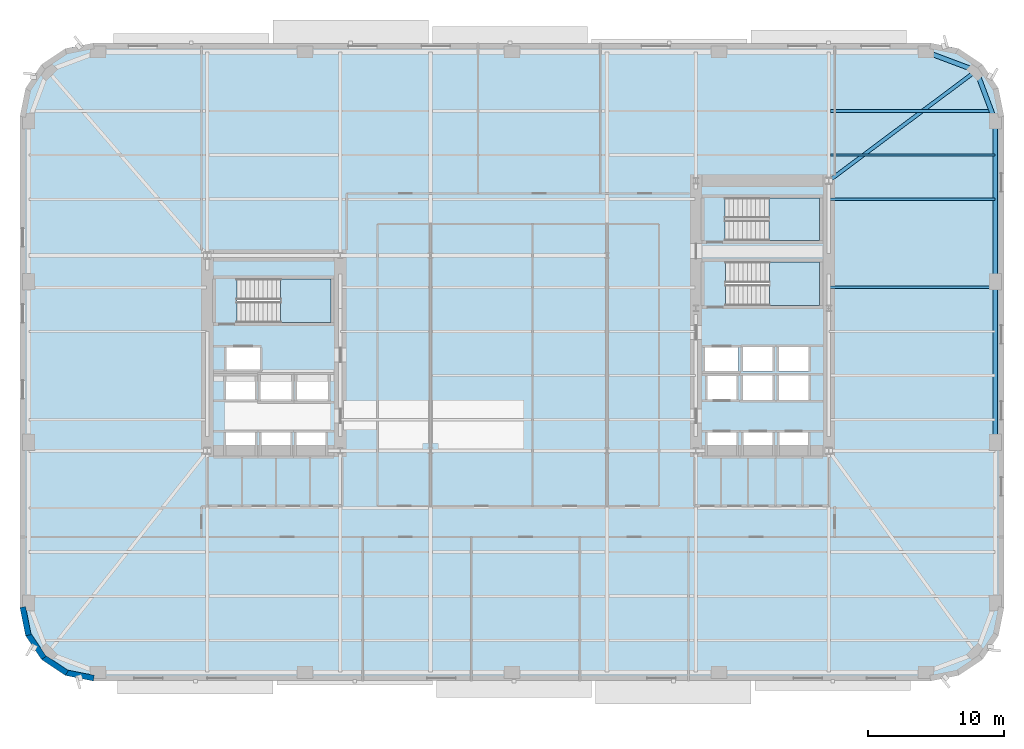
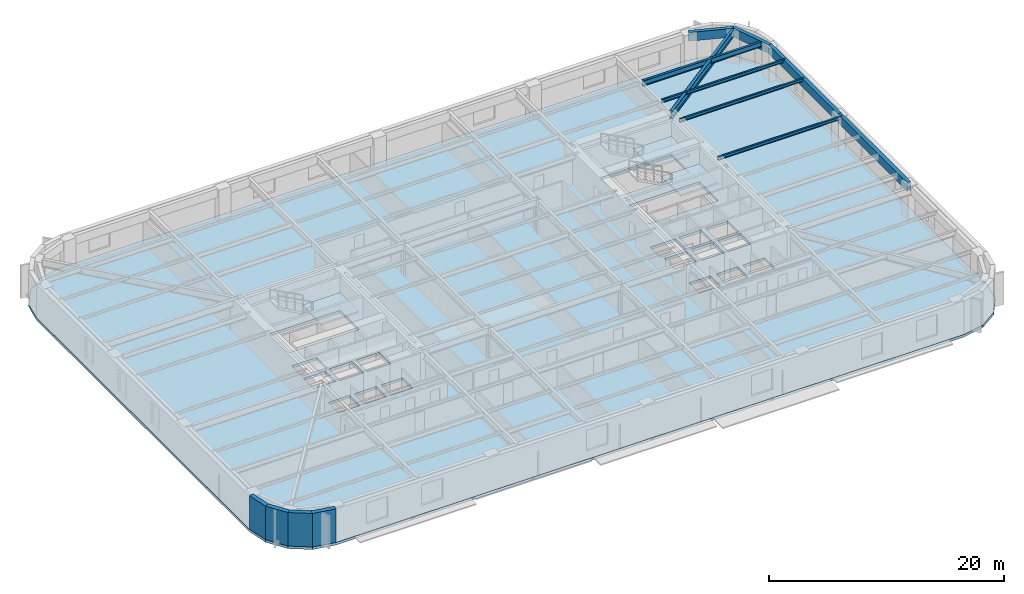
# One storey, part 3 of 15: 9 beams, 4 slabs, 4 walls, 3 elements without a shape of their own.
"""IFC4 building model written with IfcOpenShell, lengths in metres."""

from ifc_helpers import new_model, si_unit, direction, frame, frame_2d, origin, origin_2d, place, context, subcontext, project, spatial, polyline, rectangle, hollow_rectangle, i_section, outline, extrude, material, layer, layer_set, material_profile, profile_set, type_object, element, aggregate, save


model = new_model("IFC4")

# Units and contexts
model_context = context("Model", 3, precision=1e-05, world=origin(), true_north=direction((0.0, 1.0)))
body_context = subcontext(model_context, "Body", "Model", "MODEL_VIEW")
ifc_project = project(units=[si_unit("LENGTHUNIT", "METRE"), si_unit("AREAUNIT", "SQUARE_METRE"), si_unit("VOLUMEUNIT", "CUBIC_METRE"), si_unit("PLANEANGLEUNIT", "RADIAN"), si_unit("MASSUNIT", "GRAM", prefix="KILO")], contexts=[model_context])

# Site, building, storey
site_placement = place(None, origin())
site = spatial("IfcSite", under=ifc_project, at=site_placement, CompositionType="ELEMENT")
building_placement = place(site_placement, origin())
building = spatial("IfcBuilding", under=site, at=building_placement, Name="Kolvaren Arena Tower", CompositionType="ELEMENT")
storey_placement = place(building_placement, frame((0.0, 0.0, 49.5)))
storey = spatial("IfcBuildingStorey", under=building, at=storey_placement, Name="L09", CompositionType="ELEMENT", Elevation=49.5)

# Beams
ifc_material_1 = material(Name="Steel CSA G40.21 350W", Category="steel")
ifc_material_profile_1 = material_profile(ifc_material_1, i_section(OverallWidth=0.2119140625, OverallDepth=0.54296875, WebThickness=0.01318359375, FlangeThickness=0.0244140625, FilletRadius=0.013916015625, at=origin_2d()), Name="W530x150")
ifc_profile_set_1 = profile_set([ifc_material_profile_1], Name="Steel CSA G40.21 350W")
beam_type_1 = type_object("IfcBeamType", Name="BEAM-F1", PredefinedType="BEAM", material=ifc_profile_set_1)
beam_1_placement = place(storey_placement, frame((60.485107421875, 44.5, 3.20849609375), z_axis=(1.0, 0.0, 0.0), x_axis=(0.0, 1.0, 0.0)))
element("IfcBeam", 1, at=beam_1_placement, inside=storey, type_object=beam_type_1, Name="Composite Floor Beam (L09)", PredefinedType="BEAM", context=body_context, shape_type="SweptSolid", body=[
    extrude(i_section(OverallWidth=0.2119140625, OverallDepth=0.54296875, WebThickness=0.01318359375, FlangeThickness=0.0244140625, FilletRadius=0.013916015625, at=origin_2d()), origin(), (0.0, 0.0, 1.0), 11.83349609375),
])
ifc_material_profile_2 = material_profile(ifc_material_1, i_section(OverallWidth=0.27001953125, OverallDepth=0.77294921875, WebThickness=0.019287109375, FlangeThickness=0.033447265625, FilletRadius=0.01806640625, at=origin_2d()), Name="W760x257")
ifc_profile_set_2 = profile_set([ifc_material_profile_2], Name="Steel CSA G40.21 350W")
beam_type_2 = type_object("IfcBeamType", Name="GIRD-T1", PredefinedType="BEAM", material=ifc_profile_set_2)
beam_2_placement = place(storey_placement, frame((71.208740234375, 47.458740234375, 3.093505859375), z_axis=(-0.801249936397, -0.598329791523, 0.0), x_axis=(0.598329791523, -0.801249936397, 0.0)))
element("IfcBeam", 2, at=beam_2_placement, inside=storey, type_object=beam_type_2, Name="Corner Diagonal Tie Girder (L09)", PredefinedType="BEAM", context=body_context, shape_type="SweptSolid", body=[
    extrude(i_section(OverallWidth=0.27001953125, OverallDepth=0.77294921875, WebThickness=0.019287109375, FlangeThickness=0.033447265625, FilletRadius=0.01806640625, at=origin_2d()), origin(), (0.0, 0.0, 1.0), 13.55224609375),
])
ifc_material_profile_3 = material_profile(ifc_material_1, i_section(OverallWidth=0.1669921875, OverallDepth=0.31689453125, WebThickness=0.007568359375, FlangeThickness=0.01318359375, FilletRadius=0.010009765625, at=origin_2d()), Name="W310x52")
ifc_profile_set_3 = profile_set([ifc_material_profile_3], Name="Steel CSA G40.21 350W")
beam_type_3 = type_object("IfcBeamType", Name="JOIST-02", PredefinedType="JOIST", material=ifc_profile_set_3)
for number, where, z_axis, x_axis, name in (
    (3, (60.3701171875, 31.5, 3.321533203125), (1.0, 0.0, 0.0), (0.0, 1.0, 0.0), "Composite Floor Joist (L09)"),
    (4, (60.3701171875, 38.0, 3.321533203125), (1.0, 0.0, 0.0), (0.0, 1.0, 0.0), "Composite Floor Joist (L09)"),
):
    element("IfcBeam", number, at=place(storey_placement, frame(where, z_axis=z_axis, x_axis=x_axis)), inside=storey, type_object=beam_type_3, Name=name, PredefinedType="JOIST", context=body_context, shape_type="SweptSolid", body=[
        extrude(i_section(OverallWidth=0.1669921875, OverallDepth=0.31689453125, WebThickness=0.007568359375, FlangeThickness=0.01318359375, FilletRadius=0.010009765625, at=origin_2d()), origin(), (0.0, 0.0, 1.0), 12.22998046875),
    ])
beam_3_placement = place(storey_placement, frame((60.485107421875, 41.25, 3.321533203125), z_axis=(1.0, 0.0, 0.0), x_axis=(0.0, 1.0, 0.0)))
element("IfcBeam", 5, at=beam_3_placement, inside=storey, type_object=beam_type_3, Name="Composite Floor Joist (L09)", PredefinedType="JOIST", context=body_context, shape_type="SweptSolid", body=[
    extrude(i_section(OverallWidth=0.1669921875, OverallDepth=0.31689453125, WebThickness=0.007568359375, FlangeThickness=0.01318359375, FilletRadius=0.010009765625, at=origin_2d()), origin(), (0.0, 0.0, 1.0), 12.114990234375),
])
ifc_material_2 = material(Name="Steel CSA G40.21 350WT", Category="steel")
ifc_material_profile_4 = material_profile(ifc_material_2, hollow_rectangle(XDim=0.35009765625, YDim=0.89990234375, WallThickness=0.02001953125, at=origin_2d()), Name="HSS 900x350x20")
ifc_profile_set_4 = profile_set([ifc_material_profile_4], Name="Steel CSA G40.21 350WT")
beam_type_4 = type_object("IfcBeamType", Name="SPAND-01", PredefinedType="SPANDREL", material=ifc_profile_set_4)
beam_4_placement = place(storey_placement, frame((72.60009765625, 20.083251953125, 3.030029296875), z_axis=(0.0, 1.0, 0.0), x_axis=(-1.0, 0.0, 0.0)))
element("IfcBeam", 6, at=beam_4_placement, inside=storey, type_object=beam_type_4, Name="Perimeter Spandrel Beam (L09)", PredefinedType="SPANDREL", context=body_context, shape_type="SweptSolid", body=[
    extrude(hollow_rectangle(XDim=0.35009765625, YDim=0.89990234375, WallThickness=0.02001953125, at=origin_2d()), origin(), (0.0, 0.0, 1.0), 11.83349609375),
])
beam_5_placement = place(storey_placement, frame((72.60009765625, 31.916748046875, 3.030029296875), z_axis=(0.0, 1.0, 0.0), x_axis=(-1.0, 0.0, 0.0)))
element("IfcBeam", 7, at=beam_5_placement, inside=storey, type_object=beam_type_4, Name="Perimeter Spandrel Beam (L09)", PredefinedType="SPANDREL", context=body_context, shape_type="SweptSolid", body=[
    extrude(hollow_rectangle(XDim=0.35009765625, YDim=0.89990234375, WallThickness=0.02001953125, at=origin_2d()), origin(), (0.0, 0.0, 1.0), 11.833251953125),
])
for number, where, z_axis, x_axis, name in (
    (8, (72.60009765625, 43.75, 3.030029296875), (-0.351251771955, 0.93628104365, 0.0), (-0.93628104365, -0.351251771955, 0.0), "Perimeter Spandrel Beam (L09)"),
    (9, (71.208740234375, 47.458740234375, 3.030029296875), (-0.93628104365, 0.351251771955, 0.0), (-0.351251771955, -0.93628104365, 0.0), "Perimeter Spandrel Beam (L09)"),
):
    element("IfcBeam", number, at=place(storey_placement, frame(where, z_axis=z_axis, x_axis=x_axis)), inside=storey, type_object=beam_type_4, Name=name, PredefinedType="SPANDREL", context=body_context, shape_type="SweptSolid", body=[
        extrude(hollow_rectangle(XDim=0.35009765625, YDim=0.89990234375, WallThickness=0.02001953125, at=origin_2d()), origin(), (0.0, 0.0, 1.0), 3.961181640625),
    ])

# Stair, slab
ifc_material_3 = material(Name="Concrete 45 MPa", Category="concrete")
stair_type_1 = type_object("IfcStairType", Name="STAIR-CORE-165", PredefinedType="HALF_TURN_STAIR", material=ifc_material_3)
stair_1_placement = place(storey_placement, origin())
stair_1 = element("IfcStair", 10, at=stair_1_placement, inside=storey, type_object=stair_type_1, Name="L09 ST-W1", PredefinedType="HALF_TURN_STAIR")
ifc_layer_1 = layer(ifc_material_3, 0.199951171875)
ifc_layer_set_1 = layer_set([ifc_layer_1], Name="Concrete 45 MPa")
slab_type_1 = type_object("IfcSlabType", Name="SLAB-LAND", PredefinedType="LANDING", material=ifc_layer_set_1)
slab_1_placement = place(storey_placement, frame((0.0, 0.0, 1.675048828125)))
slab_1 = element("IfcSlab", 11, at=slab_1_placement, type_object=slab_type_1, Name="ST-W1 landing 1", PredefinedType="LANDING", context=body_context, shape_type="SweptSolid", body=[
    extrude(outline(polyline([(19.9599609375, 28.89990234375), (23.659912109375, 28.89990234375), (23.659912109375, 32.1298828125), (19.9599609375, 32.1298828125), (19.9599609375, 28.89990234375)])), origin(), (0.0, 0.0, 1.0), 0.199951171875),
])
aggregate(stair_1, [slab_1])

stair_2_placement = place(storey_placement, origin())
stair_2 = element("IfcStair", 12, at=stair_2_placement, inside=storey, type_object=stair_type_1, Name="L09 ST-E1", PredefinedType="HALF_TURN_STAIR")
slab_2_placement = place(storey_placement, frame((0.0, 0.0, 1.675048828125)))
slab_2 = element("IfcSlab", 13, at=slab_2_placement, type_object=slab_type_1, Name="ST-E1 landing 1", PredefinedType="LANDING", context=body_context, shape_type="SweptSolid", body=[
    extrude(outline(polyline([(55.9599609375, 30.14990234375), (59.659912109375, 30.14990234375), (59.659912109375, 33.3798828125), (55.9599609375, 33.3798828125), (55.9599609375, 30.14990234375)])), origin(), (0.0, 0.0, 1.0), 0.199951171875),
])
aggregate(stair_2, [slab_2])

stair_type_2 = type_object("IfcStairType", Name="STAIR-CORE-150", PredefinedType="HALF_TURN_STAIR", material=ifc_material_3)
stair_3_placement = place(storey_placement, origin())
stair_3 = element("IfcStair", 14, at=stair_3_placement, inside=storey, type_object=stair_type_2, Name="L09 ST-E2", PredefinedType="HALF_TURN_STAIR")
slab_3_placement = place(storey_placement, frame((0.0, 0.0, 1.675048828125)))
slab_3 = element("IfcSlab", 15, at=slab_3_placement, type_object=slab_type_1, Name="ST-E2 landing 1", PredefinedType="LANDING", context=body_context, shape_type="SweptSolid", body=[
    extrude(outline(polyline([(55.919921875, 34.949951171875), (59.659912109375, 34.949951171875), (59.659912109375, 38.10009765625), (55.919921875, 38.10009765625), (55.919921875, 34.949951171875)])), origin(), (0.0, 0.0, 1.0), 0.199951171875),
])
aggregate(stair_3, [slab_3])

# Slab
ifc_layer_2 = layer(ifc_material_3, 0.27001953125)
ifc_layer_set_2 = layer_set([ifc_layer_2], Name="Concrete 45 MPa")
slab_type_2 = type_object("IfcSlabType", Name="SLAB-OFF2", PredefinedType="FLOOR", material=ifc_layer_set_2)
slab_4_placement = place(storey_placement, frame((0.0, 0.0, -0.27001953125)))
element("IfcSlab", 16, at=slab_4_placement, inside=storey, type_object=slab_type_2, Name="L09 Primary Structural Slab", PredefinedType="FLOOR", context=body_context, shape_type="SweptSolid", body=[
    extrude(outline(polyline([(67.85009765625, 2.5), (69.91650390625, 2.9111328125), (71.66845703125, 4.08154296875), (72.8388671875, 5.83349609375), (73.25, 7.89990234375), (73.25, 44.10009765625), (72.8388671875, 46.16650390625), (71.66845703125, 47.91845703125), (69.91650390625, 49.0888671875), (67.85009765625, 49.5), (6.14990234375, 49.5), (4.08349609375, 49.0888671875), (2.33154296875, 47.91845703125), (1.1611328125, 46.16650390625), (0.75, 44.10009765625), (0.75, 7.89990234375), (1.1611328125, 5.83349609375), (2.33154296875, 4.08154296875), (4.08349609375, 2.9111328125), (6.14990234375, 2.5), (67.85009765625, 2.5)]), holes=[polyline([(15.93505859375, 19.0849609375), (15.93505859375, 20.81494140625), (18.06494140625, 20.81494140625), (18.06494140625, 19.0849609375), (15.93505859375, 19.0849609375)]), polyline([(18.534912109375, 19.0849609375), (18.534912109375, 20.81494140625), (20.6650390625, 20.81494140625), (20.6650390625, 19.0849609375), (18.534912109375, 19.0849609375)]), polyline([(21.135009765625, 19.0849609375), (21.135009765625, 20.81494140625), (23.264892578125, 20.81494140625), (23.264892578125, 19.0849609375), (21.135009765625, 19.0849609375)]), polyline([(51.39501953125, 19.0849609375), (51.39501953125, 20.81494140625), (53.52490234375, 20.81494140625), (53.52490234375, 19.0849609375), (51.39501953125, 19.0849609375)]), polyline([(54.054931640625, 19.0849609375), (54.054931640625, 20.81494140625), (56.18505859375, 20.81494140625), (56.18505859375, 19.0849609375), (54.054931640625, 19.0849609375)]), polyline([(56.695068359375, 19.0849609375), (56.695068359375, 20.81494140625), (58.824951171875, 20.81494140625), (58.824951171875, 19.0849609375), (56.695068359375, 19.0849609375)]), polyline([(18.4599609375, 23.135009765625), (18.4599609375, 25.06494140625), (20.739990234375, 25.06494140625), (20.739990234375, 23.135009765625), (18.4599609375, 23.135009765625)]), polyline([(21.159912109375, 23.135009765625), (21.159912109375, 25.06494140625), (23.43994140625, 25.06494140625), (23.43994140625, 23.135009765625), (21.159912109375, 23.135009765625)]), polyline([(54.030029296875, 25.014892578125), (56.2099609375, 25.014892578125), (56.2099609375, 23.18505859375), (54.030029296875, 23.18505859375), (54.030029296875, 25.014892578125)]), polyline([(56.669921875, 25.014892578125), (58.85009765625, 25.014892578125), (58.85009765625, 23.18505859375), (56.669921875, 23.18505859375), (56.669921875, 25.014892578125)]), polyline([(15.93505859375, 23.235107421875), (15.93505859375, 24.965087890625), (18.06494140625, 24.965087890625), (18.06494140625, 23.235107421875), (15.93505859375, 23.235107421875)]), polyline([(51.39501953125, 24.965087890625), (53.52490234375, 24.965087890625), (53.52490234375, 23.235107421875), (51.39501953125, 23.235107421875), (51.39501953125, 24.965087890625)]), polyline([(54.030029296875, 25.284912109375), (54.030029296875, 27.114990234375), (56.2099609375, 27.114990234375), (56.2099609375, 25.284912109375), (54.030029296875, 25.284912109375)]), polyline([(56.669921875, 25.284912109375), (56.669921875, 27.114990234375), (58.85009765625, 27.114990234375), (58.85009765625, 25.284912109375), (56.669921875, 25.284912109375)]), polyline([(15.9599609375, 27.06494140625), (18.43994140625, 27.06494140625), (18.43994140625, 25.3349609375), (15.9599609375, 25.3349609375), (15.9599609375, 27.06494140625)]), polyline([(51.219970703125, 25.3349609375), (51.219970703125, 27.06494140625), (53.699951171875, 27.06494140625), (53.699951171875, 25.3349609375), (51.219970703125, 25.3349609375)]), polyline([(16.735107421875, 28.89990234375), (16.735107421875, 32.1298828125), (23.659912109375, 32.1298828125), (23.659912109375, 28.89990234375), (16.735107421875, 28.89990234375)]), polyline([(52.735107421875, 33.3798828125), (59.659912109375, 33.3798828125), (59.659912109375, 30.14990234375), (52.735107421875, 30.14990234375), (52.735107421875, 33.3798828125)]), polyline([(52.695068359375, 38.10009765625), (59.659912109375, 38.10009765625), (59.659912109375, 34.949951171875), (52.695068359375, 34.949951171875), (52.695068359375, 38.10009765625)])]), origin(), (0.0, 0.0, 1.0), 0.27001953125),
])

# Walls
ifc_material_4 = material(Name="Precast concrete C50/60", Category="concrete")
ifc_layer_3 = layer(ifc_material_4, 0.419921875)
ifc_layer_set_3 = layer_set([ifc_layer_3], Name="Precast concrete C50/60")
wall_type = type_object("IfcWallType", Name="EXT-PIER1", PredefinedType="SOLIDWALL", material=ifc_layer_set_3)
for number, where, z_axis, x_axis, name in (
    (17, (1.3671875, 5.87451171875, 0.0), (0.0, 0.0, 1.0), (-0.195135546048, 0.9807762837, 0.0), "Exterior Precast Masonry-Frame Wall (L09)"),
    (18, (2.506103515625, 4.1982421875, 0.0), (0.0, 0.0, 1.0), (-0.555502146192, 0.831515102434, 0.0), "Exterior Precast Masonry-Frame Wall (L09)"),
    (19, (4.2001953125, 3.085693359375, 0.0), (0.0, 0.0, 1.0), (-0.831515102434, 0.555502146192, 0.0), "Exterior Precast Masonry-Frame Wall (L09)"),
    (20, (6.19091796875, 2.7060546875, 0.0), (0.0, 0.0, 1.0), (-0.9807762837, 0.195135546048, 0.0), "Exterior Precast Masonry-Frame Wall (L09)"),
):
    element("IfcWall", number, at=place(storey_placement, frame(where, z_axis=z_axis, x_axis=x_axis)), inside=storey, type_object=wall_type, Name=name, PredefinedType="SOLIDWALL", context=body_context, shape_type="SweptSolid", body=[
        extrude(rectangle(XDim=2.10693359375, YDim=0.419921875, at=frame_2d((1.053466796875, 0.0))), origin(), (0.0, 0.0, 1.0), 3.47998046875),
    ])

save(model, "model.ifc")
